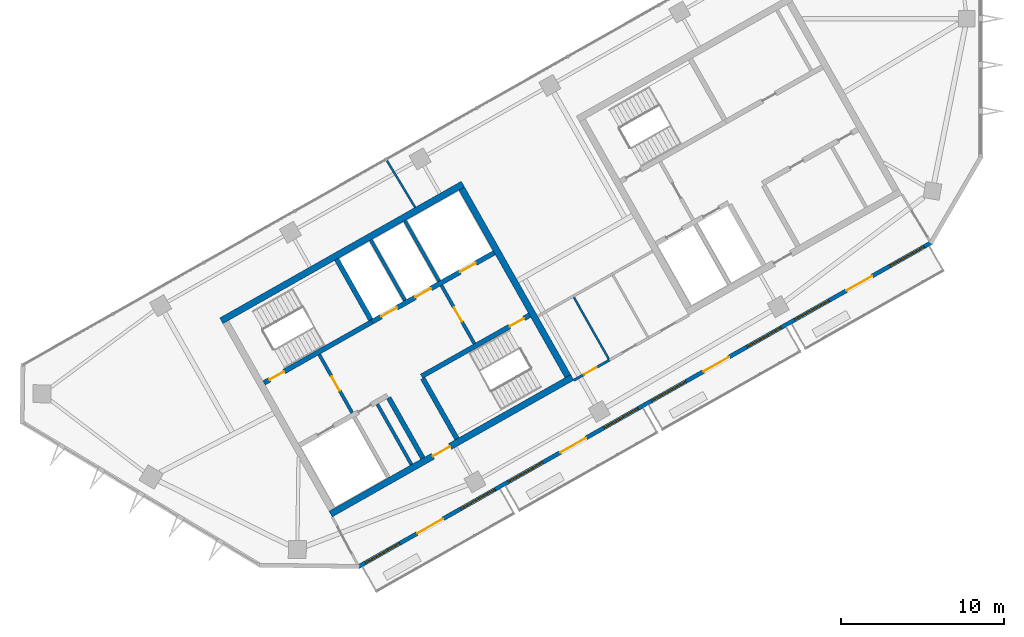
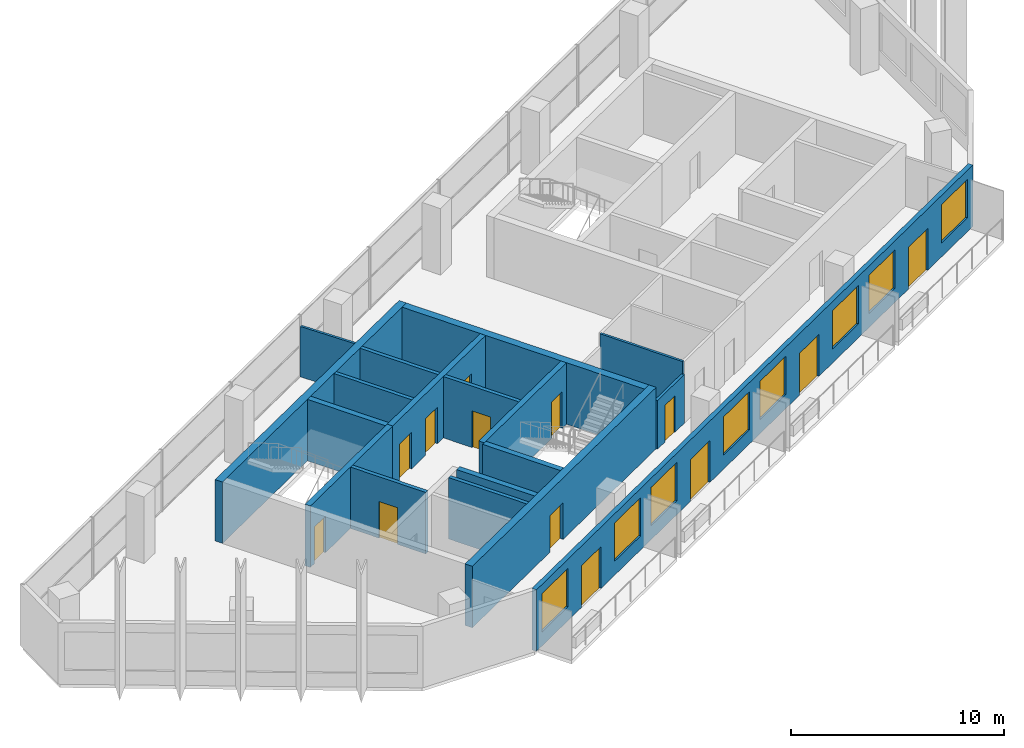
# One storey, part 6 of 10: 18 walls, 13 doors, 8 windows, 21 openings.
"""IFC4 building model written with IfcOpenShell, lengths in metres."""

from ifc_helpers import new_model, si_unit, direction, frame, frame_2d, origin, place, context, subcontext, project, spatial, rectangle, extrude, material, layer, layer_set, type_object, element, fill, save


model = new_model("IFC4")

# Units and contexts
model_context = context("Model", 3, precision=1e-05, world=origin(), true_north=direction((0.0, 1.0)))
body_context = subcontext(model_context, "Body", "Model", "MODEL_VIEW")
ifc_project = project(units=[si_unit("LENGTHUNIT", "METRE"), si_unit("AREAUNIT", "SQUARE_METRE"), si_unit("VOLUMEUNIT", "CUBIC_METRE"), si_unit("PLANEANGLEUNIT", "RADIAN"), si_unit("MASSUNIT", "GRAM", prefix="KILO")], contexts=[model_context])

# Site, building, storey
site_placement = place(None, origin())
site = spatial("IfcSite", under=ifc_project, at=site_placement, CompositionType="ELEMENT")
building_placement = place(site_placement, origin())
building = spatial("IfcBuilding", under=site, at=building_placement, Name="Binnacle Exchange Tower", CompositionType="ELEMENT")
storey_placement = place(building_placement, frame((0.0, 0.0, 331.699951171875)))
storey = spatial("IfcBuildingStorey", under=building, at=storey_placement, Name="L75", CompositionType="ELEMENT", Elevation=331.699951171875)

# Wall, openings, doors
ifc_material_1 = material(Name="Concrete C70/85", Category="concrete")
ifc_layer_1 = layer(ifc_material_1, 0.300048828125)
ifc_layer_set_1 = layer_set([ifc_layer_1], Name="Core wall - front 300")
wall_type_1 = type_object("IfcWallType", Name="Core wall - front 300", PredefinedType="SOLIDWALL", material=ifc_layer_set_1)
wall_1_placement = place(storey_placement, frame((-37.281982421875, 41.4345703125, 0.0), z_axis=(0.0, 0.0, 1.0), x_axis=(0.870361315115, 0.492413628113, 0.0)))
wall_1 = element("IfcWall", 1, at=wall_1_placement, inside=storey, type_object=wall_type_1, Name="Core wall CRWA5", PredefinedType="SOLIDWALL", context=body_context, shape_type="SweptSolid", body=[
    extrude(rectangle(XDim=8.599609375, YDim=0.300048828125, at=frame_2d((4.2998046875, 0.0))), origin(), (0.0, 0.0, 1.0), 3.52001953125),
])
opening_1_placement = place(wall_1_placement, frame((0.650146484375, 0.0, 0.0)))
opening_1 = element("IfcOpeningElement", 2, at=opening_1_placement, cuts=wall_1, Name="Opening LD9", PredefinedType="OPENING", context=body_context, shape_type="SweptSolid", body=[
    extrude(rectangle(XDim=1.10009765625, YDim=2.10009765625, at=frame_2d((0.550048828125, 1.050048828125))), frame((0.0, 0.159912109375, 0.0), z_axis=(0.0, -1.0, 0.0), x_axis=(1.0, 0.0, 0.0)), (0.0, 0.0, 1.0), 0.320068359375),
])
opening_2_placement = place(wall_1_placement, frame((3.050048828125, 0.0, 0.0)))
opening_2 = element("IfcOpeningElement", 3, at=opening_2_placement, cuts=wall_1, Name="Opening LD10", PredefinedType="OPENING", context=body_context, shape_type="SweptSolid", body=[
    extrude(rectangle(XDim=1.10009765625, YDim=2.10009765625, at=frame_2d((0.550048828125, 1.050048828125))), frame((0.0, 0.159912109375, 0.0), z_axis=(0.0, -1.0, 0.0), x_axis=(1.0, 0.0, 0.0)), (0.0, 0.0, 1.0), 0.320068359375),
])
opening_3_placement = place(wall_1_placement, frame((6.199951171875, 0.0, 0.0)))
opening_3 = element("IfcOpeningElement", 4, at=opening_3_placement, cuts=wall_1, Name="Opening LD13", PredefinedType="OPENING", context=body_context, shape_type="SweptSolid", body=[
    extrude(rectangle(XDim=1.10009765625, YDim=2.10009765625, at=frame_2d((0.550048828125, 1.050048828125))), frame((0.0, 0.159912109375, 0.0), z_axis=(0.0, -1.0, 0.0), x_axis=(1.0, 0.0, 0.0)), (0.0, 0.0, 1.0), 0.320068359375),
])
ifc_material_2 = material(Name="Steel door leaf", Category="steel")
door_type_1 = type_object("IfcDoorType", Name="Fire door - lift landing 1100", OperationType="NOTDEFINED", PredefinedType="DOOR", material=ifc_material_2)
door_1_placement = place(opening_1_placement, origin())
door_1 = element("IfcDoor", 5, at=door_1_placement, inside=storey, type_object=door_type_1, Name="Landing door LD9 L75", OperationType="DOUBLE_DOOR_SLIDING", OverallHeight=2.10009765625, OverallWidth=1.10009765625, PredefinedType="DOOR", context=body_context, shape_type="SweptSolid", body=[
    extrude(rectangle(XDim=1.10009765625, YDim=2.10009765625, at=frame_2d((0.550048828125, 1.050048828125))), frame((0.0, 0.02490234375, 0.0), z_axis=(0.0, -1.0, 0.0), x_axis=(1.0, 0.0, 0.0)), (0.0, 0.0, 1.0), 0.050048828125),
])
fill(opening_1, door_1)
door_2_placement = place(opening_2_placement, origin())
door_2 = element("IfcDoor", 6, at=door_2_placement, inside=storey, type_object=door_type_1, Name="Landing door LD10 L75", OperationType="DOUBLE_DOOR_SLIDING", OverallHeight=2.10009765625, OverallWidth=1.10009765625, PredefinedType="DOOR", context=body_context, shape_type="SweptSolid", body=[
    extrude(rectangle(XDim=1.10009765625, YDim=2.10009765625, at=frame_2d((0.550048828125, 1.050048828125))), frame((0.0, 0.02490234375, 0.0), z_axis=(0.0, -1.0, 0.0), x_axis=(1.0, 0.0, 0.0)), (0.0, 0.0, 1.0), 0.050048828125),
])
fill(opening_2, door_2)
door_3_placement = place(opening_3_placement, origin())
door_3 = element("IfcDoor", 7, at=door_3_placement, inside=storey, type_object=door_type_1, Name="Landing door LD13 L75", OperationType="DOUBLE_DOOR_SLIDING", OverallHeight=2.10009765625, OverallWidth=1.10009765625, PredefinedType="DOOR", context=body_context, shape_type="SweptSolid", body=[
    extrude(rectangle(XDim=1.10009765625, YDim=2.10009765625, at=frame_2d((0.550048828125, 1.050048828125))), frame((0.0, 0.02490234375, 0.0), z_axis=(0.0, -1.0, 0.0), x_axis=(1.0, 0.0, 0.0)), (0.0, 0.0, 1.0), 0.050048828125),
])
fill(opening_3, door_3)

# Wall
wall_2_placement = place(storey_placement, frame((-36.260009765625, 36.784912109375, 0.0), z_axis=(0.0, 0.0, 1.0), x_axis=(0.492422543467, -0.870356271124, 0.0)))
element("IfcWall", 8, at=wall_2_placement, inside=storey, type_object=wall_type_1, Name="Core wall CRWA13", PredefinedType="SOLIDWALL", context=body_context, shape_type="SweptSolid", body=[
    extrude(rectangle(XDim=4.25, YDim=0.300048828125, at=frame_2d((2.125, 0.0))), origin(), (0.0, 0.0, 1.0), 3.52001953125),
])

# Wall, opening, door
ifc_layer_2 = layer(ifc_material_1, 0.39990234375)
ifc_layer_set_2 = layer_set([ifc_layer_2], Name="Core wall - outer 400")
wall_type_2 = type_object("IfcWallType", Name="Core wall - outer 400", PredefinedType="SOLIDWALL", material=ifc_layer_set_2)
wall_3_placement = place(storey_placement, frame((-39.81298828125, 29.661865234375, 0.0), z_axis=(0.0, 0.0, 1.0), x_axis=(0.870350116061, 0.492433422375, 0.0)))
wall_3 = element("IfcWall", 9, at=wall_3_placement, inside=storey, type_object=wall_type_2, Name="Core wall CRWA1", PredefinedType="SOLIDWALL", context=body_context, shape_type="SweptSolid", body=[
    extrude(rectangle(XDim=17.0, YDim=0.39990234375, at=frame_2d((8.5, 0.0))), origin(), (0.0, 0.0, 1.0), 3.52001953125),
])
opening_4_placement = place(wall_3_placement, frame((7.199951171875, 0.0, 0.0)))
opening_4 = element("IfcOpeningElement", 10, at=opening_4_placement, cuts=wall_3, Name="Opening DA7", PredefinedType="OPENING", context=body_context, shape_type="SweptSolid", body=[
    extrude(rectangle(XDim=1.199951171875, YDim=2.10009765625, at=frame_2d((0.60009765625, 1.050048828125))), frame((0.0, 0.2099609375, 0.0), z_axis=(0.0, -1.0, 0.0), x_axis=(1.0, 0.0, 0.0)), (0.0, 0.0, 1.0), 0.419921875),
])
door_type_2 = type_object("IfcDoorType", Name="Fire door 1200", OperationType="NOTDEFINED", PredefinedType="DOOR", material=ifc_material_2)
door_4_placement = place(opening_4_placement, frame((1.199951171875, 0.0, 0.0), z_axis=(0.0, 0.0, 1.0), x_axis=(-1.0, 0.0, 0.0)))
door_4 = element("IfcDoor", 11, at=door_4_placement, inside=storey, type_object=door_type_2, Name="Lift lobby entrance door core A", OperationType="SINGLE_SWING_RIGHT", OverallHeight=2.10009765625, OverallWidth=1.199951171875, PredefinedType="DOOR", context=body_context, shape_type="SweptSolid", body=[
    extrude(rectangle(XDim=1.199951171875, YDim=2.10009765625, at=frame_2d((0.60009765625, 1.050048828125))), frame((0.0, 0.02490234375, 0.0), z_axis=(0.0, -1.0, 0.0), x_axis=(1.0, 0.0, 0.0)), (0.0, 0.0, 1.0), 0.050048828125),
])
fill(opening_4, door_4)

# Walls
wall_4_placement = place(storey_placement, frame((-46.510009765625, 41.498779296875, 0.0), z_axis=(0.0, 0.0, 1.0), x_axis=(0.870356271124, 0.492422543467, 0.0)))
element("IfcWall", 12, at=wall_4_placement, inside=storey, type_object=wall_type_2, Name="Core wall CRWA6", PredefinedType="SOLIDWALL", context=body_context, shape_type="SweptSolid", body=[
    extrude(rectangle(XDim=16.999755859375, YDim=0.39990234375, at=frame_2d((8.5, 0.0))), origin(), (0.0, 0.0, 1.0), 3.52001953125),
])
wall_5_placement = place(storey_placement, frame((-31.78955078125, 49.597412109375, 0.0), z_axis=(0.0, 0.0, 1.0), x_axis=(0.492421663121, -0.870356769198, 0.0)))
element("IfcWall", 13, at=wall_5_placement, inside=storey, type_object=wall_type_2, Name="Core wall CRWA22", PredefinedType="SOLIDWALL", context=body_context, shape_type="SweptSolid", body=[
    extrude(rectangle(XDim=13.199951171875, YDim=0.39990234375, at=frame_2d((6.60009765625, 0.0))), origin(), (0.0, 0.0, 1.0), 3.52001953125),
])

# Wall, opening, door
ifc_layer_3 = layer(ifc_material_1, 0.300048828125)
ifc_layer_set_3 = layer_set([ifc_layer_3], Name="Core wall - stair 300")
wall_type_3 = type_object("IfcWallType", Name="Core wall - stair 300", PredefinedType="SOLIDWALL", material=ifc_layer_set_3)
wall_6_placement = place(storey_placement, frame((-34.2451171875, 38.097412109375, 0.0), z_axis=(0.0, 0.0, 1.0), x_axis=(0.870356351998, 0.492422400523, 0.0)))
wall_6 = element("IfcWall", 14, at=wall_6_placement, inside=storey, type_object=wall_type_3, Name="Core wall CRWA3", PredefinedType="SOLIDWALL", context=body_context, shape_type="SweptSolid", body=[
    extrude(rectangle(XDim=7.60009765625, YDim=0.300048828125, at=frame_2d((3.800048828125, 0.0))), origin(), (0.0, 0.0, 1.0), 3.52001953125),
])
opening_5_placement = place(wall_6_placement, frame((6.199951171875, 0.0, 0.0)))
opening_5 = element("IfcOpeningElement", 15, at=opening_5_placement, cuts=wall_6, Name="Opening DA2", PredefinedType="OPENING", context=body_context, shape_type="SweptSolid", body=[
    extrude(rectangle(XDim=1.0, YDim=2.10009765625, at=frame_2d((0.5, 1.050048828125))), frame((0.0, 0.159912109375, 0.0), z_axis=(0.0, -1.0, 0.0), x_axis=(1.0, 0.0, 0.0)), (0.0, 0.0, 1.0), 0.320068359375),
])
door_type_3 = type_object("IfcDoorType", Name="Fire door 1000", OperationType="NOTDEFINED", PredefinedType="DOOR", material=ifc_material_2)
door_5_placement = place(opening_5_placement, frame((1.0, 0.0, 0.0), z_axis=(0.0, 0.0, 1.0), x_axis=(-1.0, 0.0, 0.0)))
door_5 = element("IfcDoor", 16, at=door_5_placement, inside=storey, type_object=door_type_3, Name="Stair door ST-A2", OperationType="SINGLE_SWING_LEFT", OverallHeight=2.10009765625, OverallWidth=1.0, PredefinedType="DOOR", context=body_context, shape_type="SweptSolid", body=[
    extrude(rectangle(XDim=1.0, YDim=2.10009765625, at=frame_2d((0.5, 1.050048828125))), frame((0.0, 0.02490234375, 0.0), z_axis=(0.0, -1.0, 0.0), x_axis=(1.0, 0.0, 0.0)), (0.0, 0.0, 1.0), 0.050048828125),
])
fill(opening_5, door_5)

wall_7_placement = place(storey_placement, frame((-43.896728515625, 37.692138671875, 0.0), z_axis=(0.0, 0.0, 1.0), x_axis=(0.870356351998, 0.492422400523, 0.0)))
wall_7 = element("IfcWall", 17, at=wall_7_placement, inside=storey, type_object=wall_type_3, Name="Core wall CRWA4", PredefinedType="SOLIDWALL", context=body_context, shape_type="SweptSolid", body=[
    extrude(rectangle(XDim=7.60009765625, YDim=0.300048828125, at=frame_2d((3.800048828125, 0.0))), origin(), (0.0, 0.0, 1.0), 3.52001953125),
])
opening_6_placement = place(wall_7_placement, frame((0.39990234375, 0.0, 0.0)))
opening_6 = element("IfcOpeningElement", 18, at=opening_6_placement, cuts=wall_7, Name="Opening DA1", PredefinedType="OPENING", context=body_context, shape_type="SweptSolid", body=[
    extrude(rectangle(XDim=1.0, YDim=2.10009765625, at=frame_2d((0.5, 1.050048828125))), frame((0.0, 0.159912109375, 0.0), z_axis=(0.0, -1.0, 0.0), x_axis=(1.0, 0.0, 0.0)), (0.0, 0.0, 1.0), 0.320068359375),
])
door_6_placement = place(opening_6_placement, origin())
door_6 = element("IfcDoor", 19, at=door_6_placement, inside=storey, type_object=door_type_3, Name="Stair door ST-A1", OperationType="SINGLE_SWING_LEFT", OverallHeight=2.10009765625, OverallWidth=1.0, PredefinedType="DOOR", context=body_context, shape_type="SweptSolid", body=[
    extrude(rectangle(XDim=1.0, YDim=2.10009765625, at=frame_2d((0.5, 1.050048828125))), frame((0.0, 0.02490234375, 0.0), z_axis=(0.0, -1.0, 0.0), x_axis=(1.0, 0.0, 0.0)), (0.0, 0.0, 1.0), 0.050048828125),
])
fill(opening_6, door_6)

# Walls
for number, where, z_axis, x_axis, name in (
    (20, (-39.44873046875, 45.263916015625, 0.0), (0.0, 0.0, 1.0), (0.492422543467, -0.870356271124, 0.0), "Core wall CRWA14"),
    (21, (-34.171142578125, 37.966796875, 0.0), (0.0, 0.0, 1.0), (0.492422543467, -0.870356271124, 0.0), "Core wall CRWA16"),
):
    element("IfcWall", number, at=place(storey_placement, frame(where, z_axis=z_axis, x_axis=x_axis)), inside=storey, type_object=wall_type_3, Name=name, PredefinedType="SOLIDWALL", context=body_context, shape_type="SweptSolid", body=[
        extrude(rectangle(XDim=4.25, YDim=0.300048828125, at=frame_2d((2.125, 0.0))), origin(), (0.0, 0.0, 1.0), 3.52001953125),
    ])

# Wall, openings, doors, windows
ifc_material_3 = material(Name="Bronze aluminium cladding", Category="aluminium")
ifc_layer_4 = layer(ifc_material_3, 0.25)
ifc_layer_set_4 = layer_set([ifc_layer_4], Name="External wall - window wall 250")
wall_type_4 = type_object("IfcWallType", Name="External wall - window wall 250", PredefinedType="STANDARD", material=ifc_layer_set_4)
wall_8_placement = place(storey_placement, frame((-3.016845703125, 46.293212890625, 0.0), z_axis=(0.0, 0.0, 1.0), x_axis=(-0.870355474887, -0.492423950812, 0.0)))
wall_8 = element("IfcWall", 22, at=wall_8_placement, inside=storey, type_object=wall_type_4, Name="External wall EW-H07 L75", PredefinedType="STANDARD", context=body_context, shape_type="SweptSolid", body=[
    extrude(rectangle(XDim=40.34033203125, YDim=0.25, at=frame_2d((20.170166015625, 0.0))), origin(), (0.0, 0.0, 1.0), 3.52001953125),
])
opening_7_placement = place(wall_8_placement, frame((37.428466796875, 0.0, 0.800048828125)))
opening_7 = element("IfcOpeningElement", 23, at=opening_7_placement, cuts=wall_8, Name="Opening WR2", PredefinedType="OPENING", context=body_context, shape_type="SweptSolid", body=[
    extrude(rectangle(XDim=2.39990234375, YDim=2.199951171875, at=frame_2d((1.199951171875, 1.10009765625))), frame((0.0, 0.135009765625, 0.0), z_axis=(0.0, -1.0, 0.0), x_axis=(1.0, 0.0, 0.0)), (0.0, 0.0, 1.0), 0.27001953125),
])
opening_8_placement = place(wall_8_placement, frame((34.372314453125, 0.0, 0.0)))
opening_8 = element("IfcOpeningElement", 24, at=opening_8_placement, cuts=wall_8, Name="Opening D-FS22-01", PredefinedType="OPENING", context=body_context, shape_type="SweptSolid", body=[
    extrude(rectangle(XDim=1.800048828125, YDim=2.39990234375, at=frame_2d((0.89990234375, 1.199951171875))), frame((0.0, 0.135009765625, 0.0), z_axis=(0.0, -1.0, 0.0), x_axis=(1.0, 0.0, 0.0)), (0.0, 0.0, 1.0), 0.27001953125),
])
opening_9_placement = place(wall_8_placement, frame((30.71630859375, 0.0, 0.800048828125)))
opening_9 = element("IfcOpeningElement", 25, at=opening_9_placement, cuts=wall_8, Name="Opening WR2", PredefinedType="OPENING", context=body_context, shape_type="SweptSolid", body=[
    extrude(rectangle(XDim=2.39990234375, YDim=2.199951171875, at=frame_2d((1.199951171875, 1.10009765625))), frame((0.0, 0.135009765625, 0.0), z_axis=(0.0, -1.0, 0.0), x_axis=(1.0, 0.0, 0.0)), (0.0, 0.0, 1.0), 0.27001953125),
])
opening_10_placement = place(wall_8_placement, frame((27.3603515625, 0.0, 0.800048828125)))
opening_10 = element("IfcOpeningElement", 26, at=opening_10_placement, cuts=wall_8, Name="Opening WR2", PredefinedType="OPENING", context=body_context, shape_type="SweptSolid", body=[
    extrude(rectangle(XDim=2.39990234375, YDim=2.199951171875, at=frame_2d((1.199951171875, 1.10009765625))), frame((0.0, 0.135009765625, 0.0), z_axis=(0.0, -1.0, 0.0), x_axis=(1.0, 0.0, 0.0)), (0.0, 0.0, 1.0), 0.27001953125),
])
opening_11_placement = place(wall_8_placement, frame((24.30419921875, 0.0, 0.0)))
opening_11 = element("IfcOpeningElement", 27, at=opening_11_placement, cuts=wall_8, Name="Opening D-FS22-02", PredefinedType="OPENING", context=body_context, shape_type="SweptSolid", body=[
    extrude(rectangle(XDim=1.800048828125, YDim=2.39990234375, at=frame_2d((0.89990234375, 1.199951171875))), frame((0.0, 0.135009765625, 0.0), z_axis=(0.0, -1.0, 0.0), x_axis=(1.0, 0.0, 0.0)), (0.0, 0.0, 1.0), 0.27001953125),
])
opening_12_placement = place(wall_8_placement, frame((20.648193359375, 0.0, 0.800048828125)))
opening_12 = element("IfcOpeningElement", 28, at=opening_12_placement, cuts=wall_8, Name="Opening WR2", PredefinedType="OPENING", context=body_context, shape_type="SweptSolid", body=[
    extrude(rectangle(XDim=2.39990234375, YDim=2.199951171875, at=frame_2d((1.199951171875, 1.10009765625))), frame((0.0, 0.135009765625, 0.0), z_axis=(0.0, -1.0, 0.0), x_axis=(1.0, 0.0, 0.0)), (0.0, 0.0, 1.0), 0.27001953125),
])
opening_13_placement = place(wall_8_placement, frame((17.2919921875, 0.0, 0.800048828125)))
opening_13 = element("IfcOpeningElement", 29, at=opening_13_placement, cuts=wall_8, Name="Opening WR2", PredefinedType="OPENING", context=body_context, shape_type="SweptSolid", body=[
    extrude(rectangle(XDim=2.39990234375, YDim=2.199951171875, at=frame_2d((1.199951171875, 1.10009765625))), frame((0.0, 0.135009765625, 0.0), z_axis=(0.0, -1.0, 0.0), x_axis=(1.0, 0.0, 0.0)), (0.0, 0.0, 1.0), 0.27001953125),
])
opening_14_placement = place(wall_8_placement, frame((14.236083984375, 0.0, 0.0)))
opening_14 = element("IfcOpeningElement", 30, at=opening_14_placement, cuts=wall_8, Name="Opening D-FS22-03", PredefinedType="OPENING", context=body_context, shape_type="SweptSolid", body=[
    extrude(rectangle(XDim=1.800048828125, YDim=2.39990234375, at=frame_2d((0.89990234375, 1.199951171875))), frame((0.0, 0.135009765625, 0.0), z_axis=(0.0, -1.0, 0.0), x_axis=(1.0, 0.0, 0.0)), (0.0, 0.0, 1.0), 0.27001953125),
])
opening_15_placement = place(wall_8_placement, frame((10.580078125, 0.0, 0.800048828125)))
opening_15 = element("IfcOpeningElement", 31, at=opening_15_placement, cuts=wall_8, Name="Opening WR2", PredefinedType="OPENING", context=body_context, shape_type="SweptSolid", body=[
    extrude(rectangle(XDim=2.39990234375, YDim=2.199951171875, at=frame_2d((1.199951171875, 1.10009765625))), frame((0.0, 0.135009765625, 0.0), z_axis=(0.0, -1.0, 0.0), x_axis=(1.0, 0.0, 0.0)), (0.0, 0.0, 1.0), 0.27001953125),
])
opening_16_placement = place(wall_8_placement, frame((7.223876953125, 0.0, 0.800048828125)))
opening_16 = element("IfcOpeningElement", 32, at=opening_16_placement, cuts=wall_8, Name="Opening WR2", PredefinedType="OPENING", context=body_context, shape_type="SweptSolid", body=[
    extrude(rectangle(XDim=2.39990234375, YDim=2.199951171875, at=frame_2d((1.199951171875, 1.10009765625))), frame((0.0, 0.135009765625, 0.0), z_axis=(0.0, -1.0, 0.0), x_axis=(1.0, 0.0, 0.0)), (0.0, 0.0, 1.0), 0.27001953125),
])
opening_17_placement = place(wall_8_placement, frame((4.16796875, 0.0, 0.0)))
opening_17 = element("IfcOpeningElement", 33, at=opening_17_placement, cuts=wall_8, Name="Opening D-FS22-04", PredefinedType="OPENING", context=body_context, shape_type="SweptSolid", body=[
    extrude(rectangle(XDim=1.800048828125, YDim=2.39990234375, at=frame_2d((0.89990234375, 1.199951171875))), frame((0.0, 0.135009765625, 0.0), z_axis=(0.0, -1.0, 0.0), x_axis=(1.0, 0.0, 0.0)), (0.0, 0.0, 1.0), 0.27001953125),
])
opening_18_placement = place(wall_8_placement, frame((0.51171875, 0.0, 0.800048828125)))
opening_18 = element("IfcOpeningElement", 34, at=opening_18_placement, cuts=wall_8, Name="Opening WR2", PredefinedType="OPENING", context=body_context, shape_type="SweptSolid", body=[
    extrude(rectangle(XDim=2.39990234375, YDim=2.199951171875, at=frame_2d((1.199951171875, 1.10009765625))), frame((0.0, 0.135009765625, 0.0), z_axis=(0.0, -1.0, 0.0), x_axis=(1.0, 0.0, 0.0)), (0.0, 0.0, 1.0), 0.27001953125),
])
ifc_material_4 = material(Name="Bronze anodised aluminium frame", Category="aluminium")
door_type_4 = type_object("IfcDoorType", Name="DB DOOR 1800x2400", OperationType="DOUBLE_DOOR_SINGLE_SWING", PredefinedType="DOOR", material=ifc_material_4)
door_7_placement = place(opening_8_placement, origin())
door_7 = element("IfcDoor", 35, at=door_7_placement, inside=storey, type_object=door_type_4, Name="Door D-FS22-01 L75", OperationType="DOUBLE_DOOR_SINGLE_SWING", OverallHeight=2.39990234375, OverallWidth=1.800048828125, PredefinedType="DOOR", context=body_context, shape_type="SweptSolid", body=[
    extrude(rectangle(XDim=1.800048828125, YDim=2.39990234375, at=frame_2d((0.89990234375, 1.199951171875))), frame((0.0, 0.02490234375, 0.0), z_axis=(0.0, -1.0, 0.0), x_axis=(1.0, 0.0, 0.0)), (0.0, 0.0, 1.0), 0.050048828125),
])
fill(opening_8, door_7)
door_8_placement = place(opening_11_placement, origin())
door_8 = element("IfcDoor", 36, at=door_8_placement, inside=storey, type_object=door_type_4, Name="Door D-FS22-02 L75", OperationType="DOUBLE_DOOR_SINGLE_SWING", OverallHeight=2.39990234375, OverallWidth=1.800048828125, PredefinedType="DOOR", context=body_context, shape_type="SweptSolid", body=[
    extrude(rectangle(XDim=1.800048828125, YDim=2.39990234375, at=frame_2d((0.89990234375, 1.199951171875))), frame((0.0, 0.02490234375, 0.0), z_axis=(0.0, -1.0, 0.0), x_axis=(1.0, 0.0, 0.0)), (0.0, 0.0, 1.0), 0.050048828125),
])
fill(opening_11, door_8)
door_9_placement = place(opening_14_placement, origin())
door_9 = element("IfcDoor", 37, at=door_9_placement, inside=storey, type_object=door_type_4, Name="Door D-FS22-03 L75", OperationType="DOUBLE_DOOR_SINGLE_SWING", OverallHeight=2.39990234375, OverallWidth=1.800048828125, PredefinedType="DOOR", context=body_context, shape_type="SweptSolid", body=[
    extrude(rectangle(XDim=1.800048828125, YDim=2.39990234375, at=frame_2d((0.89990234375, 1.199951171875))), frame((0.0, 0.02490234375, 0.0), z_axis=(0.0, -1.0, 0.0), x_axis=(1.0, 0.0, 0.0)), (0.0, 0.0, 1.0), 0.050048828125),
])
fill(opening_14, door_9)
door_10_placement = place(opening_17_placement, origin())
door_10 = element("IfcDoor", 38, at=door_10_placement, inside=storey, type_object=door_type_4, Name="Door D-FS22-04 L75", OperationType="DOUBLE_DOOR_SINGLE_SWING", OverallHeight=2.39990234375, OverallWidth=1.800048828125, PredefinedType="DOOR", context=body_context, shape_type="SweptSolid", body=[
    extrude(rectangle(XDim=1.800048828125, YDim=2.39990234375, at=frame_2d((0.89990234375, 1.199951171875))), frame((0.0, 0.02490234375, 0.0), z_axis=(0.0, -1.0, 0.0), x_axis=(1.0, 0.0, 0.0)), (0.0, 0.0, 1.0), 0.050048828125),
])
fill(opening_17, door_10)
window_type = type_object("IfcWindowType", Name="WR2 WINDOW 2400x2200", PartitioningType="SINGLE_PANEL", PredefinedType="WINDOW", material=ifc_material_4)
window_1_placement = place(opening_7_placement, origin())
window_1 = element("IfcWindow", 39, at=window_1_placement, inside=storey, type_object=window_type, Name="Window WR2 L75", OverallHeight=2.199951171875, OverallWidth=2.39990234375, PartitioningType="SINGLE_PANEL", PredefinedType="WINDOW", context=body_context, shape_type="SweptSolid", body=[
    extrude(rectangle(XDim=2.39990234375, YDim=2.199951171875, at=frame_2d((1.199951171875, 1.10009765625))), frame((0.0, 0.030029296875, 0.0), z_axis=(0.0, -1.0, 0.0), x_axis=(1.0, 0.0, 0.0)), (0.0, 0.0, 1.0), 0.06005859375),
])
fill(opening_7, window_1)
window_2_placement = place(opening_9_placement, origin())
window_2 = element("IfcWindow", 40, at=window_2_placement, inside=storey, type_object=window_type, Name="Window WR2 L75", OverallHeight=2.199951171875, OverallWidth=2.39990234375, PartitioningType="SINGLE_PANEL", PredefinedType="WINDOW", context=body_context, shape_type="SweptSolid", body=[
    extrude(rectangle(XDim=2.39990234375, YDim=2.199951171875, at=frame_2d((1.199951171875, 1.10009765625))), frame((0.0, 0.030029296875, 0.0), z_axis=(0.0, -1.0, 0.0), x_axis=(1.0, 0.0, 0.0)), (0.0, 0.0, 1.0), 0.06005859375),
])
fill(opening_9, window_2)
window_3_placement = place(opening_10_placement, origin())
window_3 = element("IfcWindow", 41, at=window_3_placement, inside=storey, type_object=window_type, Name="Window WR2 L75", OverallHeight=2.199951171875, OverallWidth=2.39990234375, PartitioningType="SINGLE_PANEL", PredefinedType="WINDOW", context=body_context, shape_type="SweptSolid", body=[
    extrude(rectangle(XDim=2.39990234375, YDim=2.199951171875, at=frame_2d((1.199951171875, 1.10009765625))), frame((0.0, 0.030029296875, 0.0), z_axis=(0.0, -1.0, 0.0), x_axis=(1.0, 0.0, 0.0)), (0.0, 0.0, 1.0), 0.06005859375),
])
fill(opening_10, window_3)
window_4_placement = place(opening_12_placement, origin())
window_4 = element("IfcWindow", 42, at=window_4_placement, inside=storey, type_object=window_type, Name="Window WR2 L75", OverallHeight=2.199951171875, OverallWidth=2.39990234375, PartitioningType="SINGLE_PANEL", PredefinedType="WINDOW", context=body_context, shape_type="SweptSolid", body=[
    extrude(rectangle(XDim=2.39990234375, YDim=2.199951171875, at=frame_2d((1.199951171875, 1.10009765625))), frame((0.0, 0.030029296875, 0.0), z_axis=(0.0, -1.0, 0.0), x_axis=(1.0, 0.0, 0.0)), (0.0, 0.0, 1.0), 0.06005859375),
])
fill(opening_12, window_4)
window_5_placement = place(opening_13_placement, origin())
window_5 = element("IfcWindow", 43, at=window_5_placement, inside=storey, type_object=window_type, Name="Window WR2 L75", OverallHeight=2.199951171875, OverallWidth=2.39990234375, PartitioningType="SINGLE_PANEL", PredefinedType="WINDOW", context=body_context, shape_type="SweptSolid", body=[
    extrude(rectangle(XDim=2.39990234375, YDim=2.199951171875, at=frame_2d((1.199951171875, 1.10009765625))), frame((0.0, 0.030029296875, 0.0), z_axis=(0.0, -1.0, 0.0), x_axis=(1.0, 0.0, 0.0)), (0.0, 0.0, 1.0), 0.06005859375),
])
fill(opening_13, window_5)
window_6_placement = place(opening_15_placement, origin())
window_6 = element("IfcWindow", 44, at=window_6_placement, inside=storey, type_object=window_type, Name="Window WR2 L75", OverallHeight=2.199951171875, OverallWidth=2.39990234375, PartitioningType="SINGLE_PANEL", PredefinedType="WINDOW", context=body_context, shape_type="SweptSolid", body=[
    extrude(rectangle(XDim=2.39990234375, YDim=2.199951171875, at=frame_2d((1.199951171875, 1.10009765625))), frame((0.0, 0.030029296875, 0.0), z_axis=(0.0, -1.0, 0.0), x_axis=(1.0, 0.0, 0.0)), (0.0, 0.0, 1.0), 0.06005859375),
])
fill(opening_15, window_6)
window_7_placement = place(opening_16_placement, origin())
window_7 = element("IfcWindow", 45, at=window_7_placement, inside=storey, type_object=window_type, Name="Window WR2 L75", OverallHeight=2.199951171875, OverallWidth=2.39990234375, PartitioningType="SINGLE_PANEL", PredefinedType="WINDOW", context=body_context, shape_type="SweptSolid", body=[
    extrude(rectangle(XDim=2.39990234375, YDim=2.199951171875, at=frame_2d((1.199951171875, 1.10009765625))), frame((0.0, 0.030029296875, 0.0), z_axis=(0.0, -1.0, 0.0), x_axis=(1.0, 0.0, 0.0)), (0.0, 0.0, 1.0), 0.06005859375),
])
fill(opening_16, window_7)
window_8_placement = place(opening_18_placement, origin())
window_8 = element("IfcWindow", 46, at=window_8_placement, inside=storey, type_object=window_type, Name="Window WR2 L75", OverallHeight=2.199951171875, OverallWidth=2.39990234375, PartitioningType="SINGLE_PANEL", PredefinedType="WINDOW", context=body_context, shape_type="SweptSolid", body=[
    extrude(rectangle(XDim=2.39990234375, YDim=2.199951171875, at=frame_2d((1.199951171875, 1.10009765625))), frame((0.0, 0.030029296875, 0.0), z_axis=(0.0, -1.0, 0.0), x_axis=(1.0, 0.0, 0.0)), (0.0, 0.0, 1.0), 0.06005859375),
])
fill(opening_18, window_8)

# Wall, opening, door
ifc_material_5 = material(Name="Masonry block wall", Category="masonry")
ifc_layer_5 = layer(ifc_material_5, 0.199951171875)
ifc_layer_set_5 = layer_set([ifc_layer_5], Name="Fire wall - vestibule 200")
wall_type_5 = type_object("IfcWallType", Name="Fire wall - vestibule 200", PredefinedType="PARTITIONING", material=ifc_layer_set_5)
wall_9_placement = place(storey_placement, frame((-40.515625, 39.4326171875, 0.0), z_axis=(0.0, 0.0, 1.0), x_axis=(0.492453559952, -0.87033872216, 0.0)))
wall_9 = element("IfcWall", 47, at=wall_9_placement, inside=storey, type_object=wall_type_5, Name="Core wall CRWA10", PredefinedType="PARTITIONING", context=body_context, shape_type="SweptSolid", body=[
    extrude(rectangle(XDim=4.099853515625, YDim=0.199951171875, at=frame_2d((2.0498046875, 0.0))), origin(), (0.0, 0.0, 1.0), 3.52001953125),
])
opening_19_placement = place(wall_9_placement, frame((1.550048828125, 0.0, 0.0)))
opening_19 = element("IfcOpeningElement", 48, at=opening_19_placement, cuts=wall_9, Name="Opening DA3", PredefinedType="OPENING", context=body_context, shape_type="SweptSolid", body=[
    extrude(rectangle(XDim=1.0, YDim=2.10009765625, at=frame_2d((0.5, 1.050048828125))), frame((0.0, 0.10986328125, 0.0), z_axis=(0.0, -1.0, 0.0), x_axis=(1.0, 0.0, 0.0)), (0.0, 0.0, 1.0), 0.219970703125),
])
door_11_placement = place(opening_19_placement, frame((1.0, 0.0, 0.0), z_axis=(0.0, 0.0, 1.0), x_axis=(-1.0, 0.0, 0.0)))
door_11 = element("IfcDoor", 49, at=door_11_placement, inside=storey, type_object=door_type_3, Name="Vestibule door VEST-W", OperationType="SINGLE_SWING_LEFT", OverallHeight=2.10009765625, OverallWidth=1.0, PredefinedType="DOOR", context=body_context, shape_type="SweptSolid", body=[
    extrude(rectangle(XDim=1.0, YDim=2.10009765625, at=frame_2d((0.5, 1.050048828125))), frame((0.0, 0.02490234375, 0.0), z_axis=(0.0, -1.0, 0.0), x_axis=(1.0, 0.0, 0.0)), (0.0, 0.0, 1.0), 0.050048828125),
])
fill(opening_19, door_11)

wall_10_placement = place(storey_placement, frame((-33.030517578125, 43.66748046875, 0.0), z_axis=(0.0, 0.0, 1.0), x_axis=(0.492408451753, -0.87036424366, 0.0)))
wall_10 = element("IfcWall", 50, at=wall_10_placement, inside=storey, type_object=wall_type_5, Name="Core wall CRWA19", PredefinedType="PARTITIONING", context=body_context, shape_type="SweptSolid", body=[
    extrude(rectangle(XDim=4.099853515625, YDim=0.199951171875, at=frame_2d((2.0498046875, 0.0))), origin(), (0.0, 0.0, 1.0), 3.52001953125),
])
opening_20_placement = place(wall_10_placement, frame((1.550048828125, 0.0, 0.0)))
opening_20 = element("IfcOpeningElement", 51, at=opening_20_placement, cuts=wall_10, Name="Opening DA4", PredefinedType="OPENING", context=body_context, shape_type="SweptSolid", body=[
    extrude(rectangle(XDim=1.0, YDim=2.10009765625, at=frame_2d((0.5, 1.050048828125))), frame((0.0, 0.10986328125, 0.0), z_axis=(0.0, -1.0, 0.0), x_axis=(1.0, 0.0, 0.0)), (0.0, 0.0, 1.0), 0.219970703125),
])
door_12_placement = place(opening_20_placement, origin())
door_12 = element("IfcDoor", 52, at=door_12_placement, inside=storey, type_object=door_type_3, Name="Vestibule door VEST-E", OperationType="SINGLE_SWING_RIGHT", OverallHeight=2.10009765625, OverallWidth=1.0, PredefinedType="DOOR", context=body_context, shape_type="SweptSolid", body=[
    extrude(rectangle(XDim=1.0, YDim=2.10009765625, at=frame_2d((0.5, 1.050048828125))), frame((0.0, 0.02490234375, 0.0), z_axis=(0.0, -1.0, 0.0), x_axis=(1.0, 0.0, 0.0)), (0.0, 0.0, 1.0), 0.050048828125),
])
fill(opening_20, door_12)

ifc_material_6 = material(Name="Gypsum partition fire rated")
ifc_layer_6 = layer(ifc_material_6, 0.14990234375)
ifc_layer_set_6 = layer_set([ifc_layer_6], Name="Fire-rated partition 150")
wall_type_6 = type_object("IfcWallType", Name="Fire-rated partition 150", PredefinedType="PARTITIONING", material=ifc_layer_set_6)
wall_11_placement = place(storey_placement, frame((-24.9189453125, 37.85888671875, 0.0), z_axis=(0.0, 0.0, 1.0), x_axis=(0.870344512032, 0.49244332707, 0.0)))
wall_11 = element("IfcWall", 53, at=wall_11_placement, inside=storey, type_object=wall_type_6, Name="Partition W06", PredefinedType="PARTITIONING", context=body_context, shape_type="SweptSolid", body=[
    extrude(rectangle(XDim=2.500244140625, YDim=0.14990234375, at=frame_2d((1.25, 0.0))), origin(), (0.0, 0.0, 1.0), 2.7919921875),
])
opening_21_placement = place(wall_11_placement, frame((0.699951171875, 0.0, 0.0)))
opening_21 = element("IfcOpeningElement", 54, at=opening_21_placement, cuts=wall_11, Name="Opening DL74-01", PredefinedType="OPENING", context=body_context, shape_type="SweptSolid", body=[
    extrude(rectangle(XDim=0.89990234375, YDim=2.10009765625, at=frame_2d((0.449951171875, 1.050048828125))), frame((0.0, 0.0849609375, 0.0), z_axis=(0.0, -1.0, 0.0), x_axis=(1.0, 0.0, 0.0)), (0.0, 0.0, 1.0), 0.169921875),
])
door_type_5 = type_object("IfcDoorType", Name="Fire door 900", OperationType="NOTDEFINED", PredefinedType="DOOR", material=ifc_material_2)
door_13_placement = place(opening_21_placement, origin())
door_13 = element("IfcDoor", 55, at=door_13_placement, inside=storey, type_object=door_type_5, Name="Door DL74-01", OperationType="SINGLE_SWING_LEFT", OverallHeight=2.10009765625, OverallWidth=0.89990234375, PredefinedType="DOOR", context=body_context, shape_type="SweptSolid", body=[
    extrude(rectangle(XDim=0.89990234375, YDim=2.10009765625, at=frame_2d((0.449951171875, 1.050048828125))), frame((0.0, 0.02490234375, 0.0), z_axis=(0.0, -1.0, 0.0), x_axis=(1.0, 0.0, 0.0)), (0.0, 0.0, 1.0), 0.050048828125),
])
fill(opening_21, door_13)

# Walls
ifc_material_7 = material(Name="Gypsum partition")
ifc_layer_7 = layer(ifc_material_7, 0.125)
ifc_layer_set_7 = layer_set([ifc_layer_7], Name="Partition 125")
wall_type_7 = type_object("IfcWallType", Name="Partition 125", PredefinedType="PARTITIONING", material=ifc_layer_set_7)
wall_12_placement = place(storey_placement, frame((-36.389892578125, 51.343017578125, 0.0), z_axis=(0.0, 0.0, 1.0), x_axis=(0.516541008997, -0.856262451603, 0.0)))
element("IfcWall", 56, at=wall_12_placement, inside=storey, type_object=wall_type_7, Name="Partition W02", PredefinedType="PARTITIONING", context=body_context, shape_type="SweptSolid", body=[
    extrude(rectangle(XDim=3.385498046875, YDim=0.125, at=frame_2d((1.69287109375, 0.0))), origin(), (0.0, 0.0, 1.0), 2.887939453125),
])
wall_13_placement = place(storey_placement, frame((-24.958984375, 43.007080078125, 0.0), z_axis=(0.0, 0.0, 1.0), x_axis=(0.492412939134, -0.87036170491, 0.0)))
element("IfcWall", 57, at=wall_13_placement, inside=storey, type_object=wall_type_7, Name="Partition W04", PredefinedType="PARTITIONING", context=body_context, shape_type="SweptSolid", body=[
    extrude(rectangle(XDim=4.50048828125, YDim=0.125, at=frame_2d((2.250244140625, 0.0))), origin(), (0.0, 0.0, 1.0), 3.52001953125),
])
ifc_layer_8 = layer(ifc_material_5, 0.199951171875)
ifc_layer_set_8 = layer_set([ifc_layer_8], Name="Riser wall 200")
wall_type_8 = type_object("IfcWallType", Name="Riser wall 200", PredefinedType="SOLIDWALL", material=ifc_layer_set_8)
wall_14_placement = place(storey_placement, frame((-36.956298828125, 36.39111328125, 0.0), z_axis=(0.0, 0.0, 1.0), x_axis=(0.492397924348, -0.870370199454, 0.0)))
element("IfcWall", 58, at=wall_14_placement, inside=storey, type_object=wall_type_8, Name="Core wall CRWA12", PredefinedType="SOLIDWALL", context=body_context, shape_type="SweptSolid", body=[
    extrude(rectangle(XDim=4.250244140625, YDim=0.199951171875, at=frame_2d((2.125, 0.0))), origin(), (0.0, 0.0, 1.0), 3.52001953125),
])
ifc_layer_9 = layer(ifc_material_5, 0.199951171875)
ifc_layer_set_9 = layer_set([ifc_layer_9], Name="Shaft wall 200")
wall_type_9 = type_object("IfcWallType", Name="Shaft wall 200", PredefinedType="SOLIDWALL", material=ifc_layer_set_9)
for number, where, z_axis, x_axis, name in (
    (59, (-37.35986328125, 46.44580078125, 0.0), (0.0, 0.0, 1.0), (0.492422543467, -0.870356271124, 0.0), "Core wall CRWA17"),
    (60, (-35.27099609375, 47.627685546875, 0.0), (0.0, 0.0, 1.0), (0.492422543467, -0.870356271124, 0.0), "Core wall CRWA21"),
):
    element("IfcWall", number, at=place(storey_placement, frame(where, z_axis=z_axis, x_axis=x_axis)), inside=storey, type_object=wall_type_9, Name=name, PredefinedType="SOLIDWALL", context=body_context, shape_type="SweptSolid", body=[
        extrude(rectangle(XDim=4.25, YDim=0.199951171875, at=frame_2d((2.125, 0.0))), origin(), (0.0, 0.0, 1.0), 3.52001953125),
    ])

save(model, "model.ifc")
